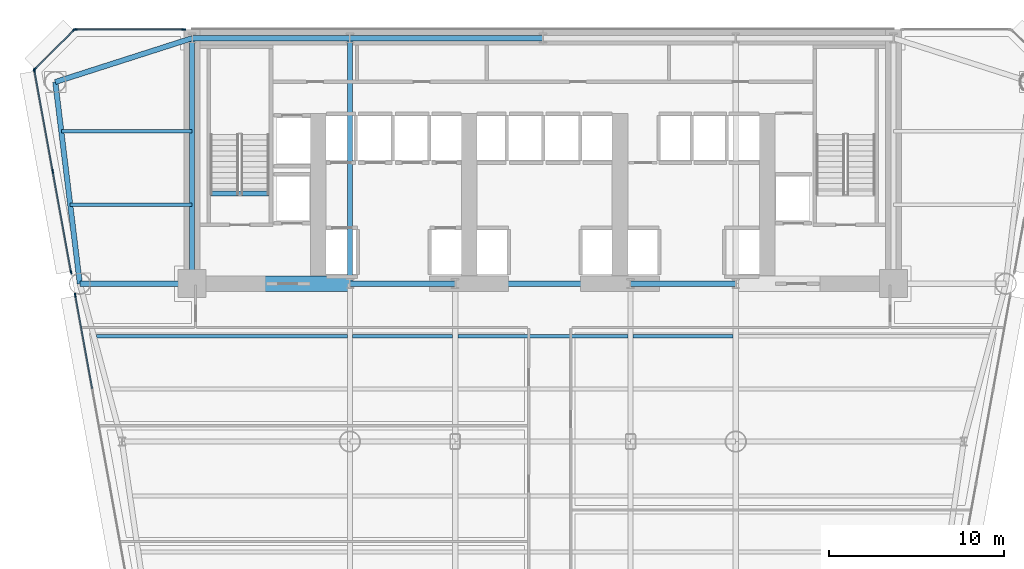
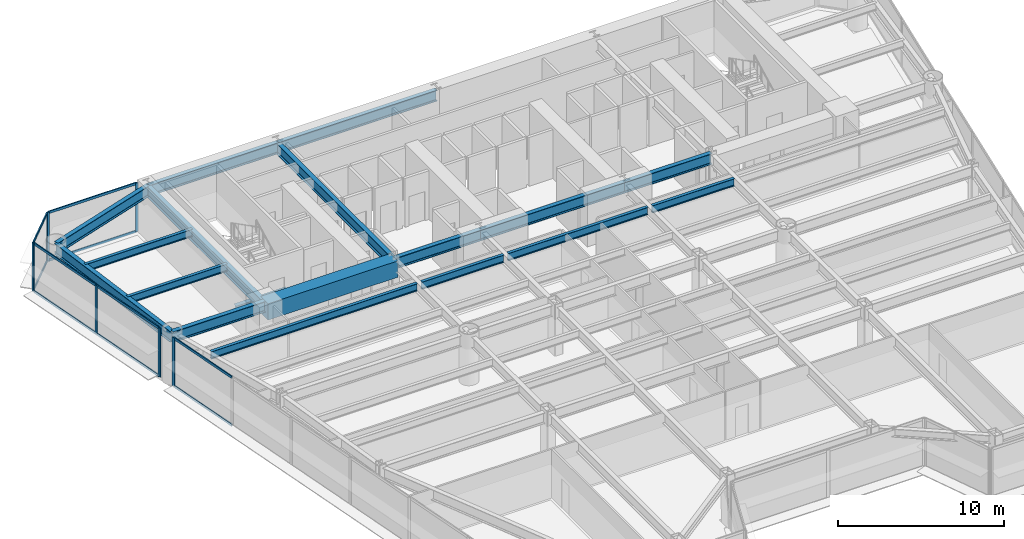
# One storey, part 5 of 14: 18 beams, 18 members, 4 elements without a shape of their own.
"""IFC4 building model written with IfcOpenShell, lengths in metres."""

import ifcopenshell
import ifcopenshell.guid

model = None  # the IFC model being written
_history = None  # IfcOwnerHistory: only IFC2X3 demands one
_inside = {}  # id of a spatial element -> (the spatial element, [elements in it])
_under = {}  # id of a project, library or spatial element -> (it, [spatial elements below it])
_declared = {}  # id of a project -> (the project, [libraries it declares])
_typed = {}  # id of a type object -> (the type object, [elements of that type])
_made_of = {}  # id of a material, layer set ... -> (it, [elements and type objects made of it])


def new_model(schema):
    """Start an empty IFC model of exactly this schema.

    Asked for "IFC4X3", IfcOpenShell would pick the latest addendum, in which some entities
    have other attributes; the version numbers below select the first issue.
    IFC2X3 requires an IfcOwnerHistory on every rooted entity: one is made here for all.
    """
    global model, _history
    if schema == "IFC4X3":
        model = ifcopenshell.file(schema_version=(4, 3, 0, 0))
    else:
        model = ifcopenshell.file(schema=schema)
    _inside.clear()
    _under.clear()
    _declared.clear()
    _typed.clear()
    _made_of.clear()
    _history = None
    if model.schema == "IFC2X3":
        org = make("IfcOrganization", Name="unknown")
        user = make(
            "IfcPersonAndOrganization",
            ThePerson=make("IfcPerson", FamilyName="unknown"),
            TheOrganization=org,
        )
        app = make(
            "IfcApplication",
            ApplicationDeveloper=org,
            Version="unknown",
            ApplicationFullName="unknown",
            ApplicationIdentifier="unknown",
        )
        _history = make(
            "IfcOwnerHistory",
            OwningUser=user,
            OwningApplication=app,
            ChangeAction="ADDED",
            CreationDate=0,
        )
    return model


def make(cls, **values):
    """One entity of the class cls with the attributes given. An attribute that is None is left unset."""
    return model.create_entity(
        cls, **{name: value for name, value in values.items() if value is not None}
    )


def rooted(cls, **values):
    """An entity with a GlobalId (a new one), such as an element, a storey or a relation."""
    return make(cls, GlobalId=ifcopenshell.guid.new(), OwnerHistory=_history, **values)


def si_unit(unit_type, name, prefix=None):
    """IfcSIUnit, for example si_unit("LENGTHUNIT", "METRE", prefix="MILLI")."""
    return make("IfcSIUnit", UnitType=unit_type, Prefix=prefix, Name=name)


def assignment(units):
    """IfcUnitAssignment: the units of a project."""
    return None if units is None else make("IfcUnitAssignment", Units=units)


def point(xyz):
    """IfcCartesianPoint."""
    return None if xyz is None else make("IfcCartesianPoint", Coordinates=xyz)


def direction(xyz):
    """IfcDirection."""
    return None if xyz is None else make("IfcDirection", DirectionRatios=xyz)


def frame(location, z_axis=None, x_axis=None):
    """IfcAxis2Placement3D, a coordinate frame: its origin and axes. An axis left out is left unset."""
    return make(
        "IfcAxis2Placement3D",
        Location=point(location),
        Axis=direction(z_axis),
        RefDirection=direction(x_axis),
    )


def frame_2d(location, x_axis=None):
    """IfcAxis2Placement2D, a coordinate frame in the plane: its origin and x axis."""
    return make(
        "IfcAxis2Placement2D", Location=point(location), RefDirection=direction(x_axis)
    )


def origin():
    """The frame at (0, 0, 0) with its axes left unset."""
    return frame((0.0, 0.0, 0.0))


def origin_2d():
    """The frame at (0, 0) in the plane with its x axis left unset."""
    return frame_2d((0.0, 0.0))


def place(relative_to, where):
    """IfcLocalPlacement: puts the frame where relative to a parent placement (None: the world)."""
    return make(
        "IfcLocalPlacement", PlacementRelTo=relative_to, RelativePlacement=where
    )


def context(
    kind, dimensions, precision=None, world=None, true_north=None, identifier=None
):
    """IfcGeometricRepresentationContext, for example the 3D "Model" context."""
    return make(
        "IfcGeometricRepresentationContext",
        ContextIdentifier=identifier,
        ContextType=kind,
        CoordinateSpaceDimension=dimensions,
        Precision=precision,
        WorldCoordinateSystem=world,
        TrueNorth=true_north,
    )


def subcontext(parent, identifier, kind, view, scale=None):
    """IfcGeometricRepresentationSubContext, for example "Body" below "Model"."""
    return make(
        "IfcGeometricRepresentationSubContext",
        ContextIdentifier=identifier,
        ContextType=kind,
        ParentContext=parent,
        TargetScale=scale,
        TargetView=view,
    )


def project(units=None, contexts=None):
    """IfcProject with its units and contexts."""
    return rooted(
        "IfcProject",
        Name="project",
        RepresentationContexts=contexts,
        UnitsInContext=assignment(units),
    )


def spatial(cls, under=None, at=None, **own):
    """A site, building, storey or space (cls), placed at a placement, below another one or the project."""
    s = rooted(cls, ObjectPlacement=at, **own)
    if under is not None:
        _under.setdefault(under.id(), (under, []))[1].append(s)
    return s


def profile(cls, at=None, kind="AREA", **sizes):
    """A parametric profile (cls). Its sizes go by their IFC names, for example OverallWidth=200.0."""
    return make(cls, ProfileType=kind, Position=at, **sizes)


def rectangle(**sizes):
    """IfcRectangleProfileDef."""
    return profile("IfcRectangleProfileDef", **sizes)


def i_section(**sizes):
    """IfcIShapeProfileDef."""
    return profile("IfcIShapeProfileDef", **sizes)


def extrude(swept, where, along, depth):
    """IfcExtrudedAreaSolid: the profile swept, set in the frame where, extruded along a direction by depth."""
    return make(
        "IfcExtrudedAreaSolid",
        SweptArea=swept,
        Position=where,
        ExtrudedDirection=direction(along),
        Depth=depth,
    )


def shape(context_of_items, identifier, shape_type, items):
    """IfcShapeRepresentation: the items that make up one representation, for example the "Body"."""
    return make(
        "IfcShapeRepresentation",
        ContextOfItems=context_of_items,
        RepresentationIdentifier=identifier,
        RepresentationType=shape_type,
        Items=items,
    )


def source(mapping_origin, context_of_items, identifier, shape_type, items):
    """IfcRepresentationMap: a shape defined once, which mapped items show again and again."""
    return make(
        "IfcRepresentationMap",
        MappingOrigin=mapping_origin,
        MappedRepresentation=shape(context_of_items, identifier, shape_type, items),
    )


def transform(
    local_origin,
    x_axis=None,
    y_axis=None,
    z_axis=None,
    scale=None,
    scale2=None,
    scale3=None,
    uniform=True,
):
    """IfcCartesianTransformationOperator3D, or its non-uniform kind. x_axis, y_axis, z_axis: its Axis1, 2, 3."""
    if uniform:
        return make(
            "IfcCartesianTransformationOperator3D",
            Axis1=direction(x_axis),
            Axis2=direction(y_axis),
            LocalOrigin=point(local_origin),
            Scale=scale,
            Axis3=direction(z_axis),
        )
    return make(
        "IfcCartesianTransformationOperator3DnonUniform",
        Axis1=direction(x_axis),
        Axis2=direction(y_axis),
        LocalOrigin=point(local_origin),
        Scale=scale,
        Axis3=direction(z_axis),
        Scale2=scale2,
        Scale3=scale3,
    )


def mapped(mapping_source, mapping_target):
    """IfcMappedItem: shows the shape of a source again, moved by a transform."""
    return make(
        "IfcMappedItem", MappingSource=mapping_source, MappingTarget=mapping_target
    )


def material(Name=None, Category=None):
    """IfcMaterial."""
    return make("IfcMaterial", Name=Name, Category=Category)


def layer(
    of_material, thickness, ventilated=None, Name=None, Category=None, Priority=None
):
    """IfcMaterialLayer: one layer of a wall or slab, of a material (None: an air gap)."""
    return make(
        "IfcMaterialLayer",
        Material=of_material,
        LayerThickness=thickness,
        IsVentilated=ventilated,
        Name=Name,
        Category=Category,
        Priority=Priority,
    )


def layer_set(layers, Name=None):
    """IfcMaterialLayerSet."""
    return make("IfcMaterialLayerSet", MaterialLayers=layers, LayerSetName=Name)


def material_profile(
    of_material, cross_section, Name=None, Category=None, Priority=None
):
    """IfcMaterialProfile: a cross section and its material."""
    return make(
        "IfcMaterialProfile",
        Name=Name,
        Material=of_material,
        Profile=cross_section,
        Priority=Priority,
        Category=Category,
    )


def profile_set(profiles, Name=None, composite=None):
    """IfcMaterialProfileSet."""
    return make(
        "IfcMaterialProfileSet",
        Name=Name,
        MaterialProfiles=profiles,
        CompositeProfile=composite,
    )


def made_of(thing, what):
    """Note that an element or type object is made of a material, layer set ...; save() writes the relation."""
    if what is not None:
        _made_of.setdefault(what.id(), (what, []))[1].append(thing)
    return thing


def type_object(cls, material=None, **own):
    """A type object (cls), such as IfcWallType, which elements share."""
    return made_of(rooted(cls, **own), material)


def element(
    cls,
    number,
    at=None,
    inside=None,
    cuts=None,
    type_object=None,
    material=None,
    context=None,
    identifier="Body",
    shape_type=None,
    held_by="IfcProductDefinitionShape",
    body=None,
    shapes=None,
    **own,
):
    """One element of the class cls, such as IfcWall. Its Tag is "e" and its number.

    at: its placement. inside: the storey or other place that contains it. cuts: it is an
    opening in that element (IfcRelVoidsElement). A single representation is given by context,
    identifier, shape_type and body (its items); several are given by shapes. held_by: the class
    of the entity that holds the representations. save() writes the other relations.
    """
    e = rooted(cls, Tag="e%d" % number, ObjectPlacement=at, **own)
    if body is not None:
        shapes = [shape(context, identifier, shape_type, body)]
    if shapes is not None:
        e.Representation = make(held_by, Representations=shapes)
    if inside is not None:
        _inside.setdefault(inside.id(), (inside, []))[1].append(e)
    if cuts is not None:
        rooted(
            "IfcRelVoidsElement", RelatingBuildingElement=cuts, RelatedOpeningElement=e
        )
    if type_object is not None:
        _typed.setdefault(type_object.id(), (type_object, []))[1].append(e)
    return made_of(e, material)


def aggregate(whole, parts):
    """IfcRelAggregates: a whole, such as a stair, and the parts it consists of."""
    return rooted("IfcRelAggregates", RelatingObject=whole, RelatedObjects=parts)


def save(model, path):
    """Write the relations noted so far, then the file.

    IfcRelAggregates (storeys below a building ...), IfcRelContainedInSpatialStructure (elements
    in a storey), IfcRelDefinesByType, IfcRelAssociatesMaterial and IfcRelDeclares: one each for
    every whole, place, type object, material and project.
    """
    for whole, parts in _under.values():
        aggregate(whole, parts)
    for where, things in _inside.values():
        rooted(
            "IfcRelContainedInSpatialStructure",
            RelatedElements=things,
            RelatingStructure=where,
        )
    for kind, things in _typed.values():
        rooted("IfcRelDefinesByType", RelatedObjects=things, RelatingType=kind)
    for what, things in _made_of.values():
        rooted("IfcRelAssociatesMaterial", RelatedObjects=things, RelatingMaterial=what)
    for by, libraries in _declared.values():
        rooted("IfcRelDeclares", RelatingContext=by, RelatedDefinitions=libraries)
    model.write(path)


model = new_model("IFC4")

# Units and contexts
model_context = context("Model", 3, precision=1e-05, world=origin(), true_north=direction((0.0, 1.0)))
body_context = subcontext(model_context, "Body", "Model", "MODEL_VIEW")
ifc_project = project(units=[si_unit("LENGTHUNIT", "METRE"), si_unit("AREAUNIT", "SQUARE_METRE"), si_unit("VOLUMEUNIT", "CUBIC_METRE"), si_unit("PLANEANGLEUNIT", "RADIAN"), si_unit("MASSUNIT", "GRAM", prefix="KILO")], contexts=[model_context])

# Site, building, storey
site_placement = place(None, origin())
site = spatial("IfcSite", under=ifc_project, at=site_placement, CompositionType="ELEMENT")
building_placement = place(site_placement, origin())
building = spatial("IfcBuilding", under=site, at=building_placement, Name="Vaeldorn Concourse Tower", CompositionType="ELEMENT")
storey_placement = place(building_placement, frame((0.0, 0.0, 37.800048828125)))
storey = spatial("IfcBuildingStorey", under=building, at=storey_placement, Name="L09", CompositionType="ELEMENT", Elevation=37.800048828125)

# Beams
ifc_material_1 = material(Name="Concrete C60/75", Category="concrete")
ifc_material_profile_1 = material_profile(ifc_material_1, rectangle(XDim=0.89990234375, YDim=1.199951171875, at=origin_2d()), Name="RC 900x1200")
ifc_profile_set_1 = profile_set([ifc_material_profile_1], Name="Concrete C60/75")
beam_type_1 = type_object("IfcBeamType", Name="BM-CB-RC900", PredefinedType="BEAM", material=ifc_profile_set_1)
shared_shape_1 = source(origin(), body_context, "Body", "SweptSolid", [
    extrude(rectangle(XDim=0.89990234375, YDim=1.199951171875, at=origin_2d()), origin(), (0.0, 0.0, 1.0), 9.0),
])
beam_1_placement = place(storey_placement, frame((14.0, 36.5, 2.97998046875), z_axis=(1.0, 0.0, 0.0), x_axis=(0.0, 1.0, 0.0)))
element("IfcBeam", 1, at=beam_1_placement, inside=storey, type_object=beam_type_1, Name="Core Coupling Beam L09-1", PredefinedType="BEAM", context=body_context, shape_type="MappedRepresentation", body=[
    mapped(shared_shape_1, transform((0.0, 0.0, 0.0), scale=1.0)),
])
ifc_material_2 = material(Name="Steel S355", Category="steel")
ifc_material_profile_2 = material_profile(ifc_material_2, i_section(OverallWidth=0.300048828125, OverallDepth=0.340087890625, WebThickness=0.011962890625, FlangeThickness=0.021484375, FilletRadius=0.027099609375, at=origin_2d()), Name="HEB 340")
ifc_profile_set_2 = profile_set([ifc_material_profile_2], Name="Steel S355")
beam_type_2 = type_object("IfcBeamType", Name="BM-ST-TRIM", PredefinedType="BEAM", material=ifc_profile_set_2)
shared_shape_2 = source(origin(), body_context, "Body", "SweptSolid", [
    extrude(i_section(OverallWidth=0.300048828125, OverallDepth=0.340087890625, WebThickness=0.011962890625, FlangeThickness=0.021484375, FilletRadius=0.027099609375, at=origin_2d()), origin(), (0.0, 0.0, 1.0), 3.590087890625),
])
beam_2_placement = place(storey_placement, frame((14.929931640625, 41.639892578125, -0.39013671875), z_axis=(1.0, 0.0, 0.0), x_axis=(0.0, 1.0, 0.0)))
element("IfcBeam", 2, at=beam_2_placement, inside=storey, type_object=beam_type_2, Name="Stair Landing Trimmer Beam ST-1 L09", PredefinedType="BEAM", context=body_context, shape_type="MappedRepresentation", body=[
    mapped(shared_shape_2, transform((0.0, 0.0, 0.0), scale=1.0)),
])
ifc_material_profile_3 = material_profile(ifc_material_2, i_section(OverallWidth=0.300048828125, OverallDepth=0.800048828125, WebThickness=0.017578125, FlangeThickness=0.032958984375, FilletRadius=0.030029296875, at=origin_2d()), Name="HEB 800")
ifc_profile_set_3 = profile_set([ifc_material_profile_3], Name="Steel S355")
beam_type_3 = type_object("IfcBeamType", Name="BM-PG-HEB800", PredefinedType="BEAM", material=ifc_profile_set_3)
shared_shape_3 = source(origin(), body_context, "Body", "SweptSolid", [
    extrude(i_section(OverallWidth=0.300048828125, OverallDepth=0.800048828125, WebThickness=0.017578125, FlangeThickness=0.032958984375, FilletRadius=0.030029296875, at=origin_2d()), origin(), (0.0, 0.0, 1.0), 6.0),
])
for number, where, z_axis, x_axis, name in (
    (3, (23.0, 36.5, 3.179931640625), (1.0, 0.0, 0.0), (0.0, 1.0, 0.0), "Beam BM-L09-C-FC2-C-FC3"),
    (4, (39.0, 36.5, 3.179931640625), (1.0, 0.0, 0.0), (0.0, 1.0, 0.0), "Beam BM-L09-C-FC4-C-FC5"),
):
    element("IfcBeam", number, at=place(storey_placement, frame(where, z_axis=z_axis, x_axis=x_axis)), inside=storey, type_object=beam_type_3, Name=name, PredefinedType="BEAM", context=body_context, shape_type="MappedRepresentation", body=[
        mapped(shared_shape_3, transform((0.0, 0.0, 0.0), scale=1.0)),
    ])
shared_shape_4 = source(origin(), body_context, "Body", "SweptSolid", [
    extrude(i_section(OverallWidth=0.300048828125, OverallDepth=0.800048828125, WebThickness=0.017578125, FlangeThickness=0.032958984375, FilletRadius=0.030029296875, at=origin_2d()), origin(), (0.0, 0.0, 1.0), 10.0),
])
beam_3_placement = place(storey_placement, frame((29.0, 36.5, 3.179931640625), z_axis=(1.0, 0.0, 0.0), x_axis=(0.0, 1.0, 0.0)))
element("IfcBeam", 5, at=beam_3_placement, inside=storey, type_object=beam_type_3, Name="Beam BM-L09-C-FC3-C-FC4", PredefinedType="BEAM", context=body_context, shape_type="MappedRepresentation", body=[
    mapped(shared_shape_4, transform((0.0, 0.0, 0.0), scale=1.0)),
])
shared_shape_5 = source(origin(), body_context, "Body", "SweptSolid", [
    extrude(i_section(OverallWidth=0.300048828125, OverallDepth=0.800048828125, WebThickness=0.017578125, FlangeThickness=0.032958984375, FilletRadius=0.030029296875, at=origin_2d()), origin(), (0.0, 0.0, 1.0), 9.0),
])
beam_4_placement = place(storey_placement, frame((14.0, 50.5, 3.179931640625), z_axis=(1.0, 0.0, 0.0), x_axis=(0.0, 1.0, 0.0)))
element("IfcBeam", 6, at=beam_4_placement, inside=storey, type_object=beam_type_3, Name="Beam BM-L09-C-HC1-C-HC2", PredefinedType="BEAM", context=body_context, shape_type="MappedRepresentation", body=[
    mapped(shared_shape_5, transform((0.0, 0.0, 0.0), scale=1.0)),
])
shared_shape_6 = source(origin(), body_context, "Body", "SweptSolid", [
    extrude(i_section(OverallWidth=0.300048828125, OverallDepth=0.800048828125, WebThickness=0.017578125, FlangeThickness=0.032958984375, FilletRadius=0.030029296875, at=origin_2d()), origin(), (0.0, 0.0, 1.0), 11.0),
])
beam_5_placement = place(storey_placement, frame((23.0, 50.5, 3.179931640625), z_axis=(1.0, 0.0, 0.0), x_axis=(0.0, 1.0, 0.0)))
element("IfcBeam", 7, at=beam_5_placement, inside=storey, type_object=beam_type_3, Name="Beam BM-L09-C-HC2-C-HC3", PredefinedType="BEAM", context=body_context, shape_type="MappedRepresentation", body=[
    mapped(shared_shape_6, transform((0.0, 0.0, 0.0), scale=1.0)),
])
shared_shape_7 = source(origin(), body_context, "Body", "SweptSolid", [
    extrude(i_section(OverallWidth=0.300048828125, OverallDepth=0.800048828125, WebThickness=0.017578125, FlangeThickness=0.032958984375, FilletRadius=0.030029296875, at=origin_2d()), origin(), (0.0, 0.0, 1.0), 14.0),
])
for number, where, z_axis, x_axis, name in (
    (8, (14.0, 36.5, 3.179931640625), (0.0, 1.0, 0.0), (-1.0, 0.0, 0.0), "Beam BM-L09-C-FC1-C-HC1"),
    (9, (23.0, 36.5, 3.179931640625), (0.0, 1.0, 0.0), (-1.0, 0.0, 0.0), "Beam BM-L09-C-FC2-C-HC2"),
):
    element("IfcBeam", number, at=place(storey_placement, frame(where, z_axis=z_axis, x_axis=x_axis)), inside=storey, type_object=beam_type_3, Name=name, PredefinedType="BEAM", context=body_context, shape_type="MappedRepresentation", body=[
        mapped(shared_shape_7, transform((0.0, 0.0, 0.0), scale=1.0)),
    ])
shared_shape_8 = source(origin(), body_context, "Body", "SweptSolid", [
    extrude(i_section(OverallWidth=0.300048828125, OverallDepth=0.800048828125, WebThickness=0.017578125, FlangeThickness=0.032958984375, FilletRadius=0.030029296875, at=origin_2d()), origin(), (0.0, 0.0, 1.0), 8.19091796875),
])
beam_6_placement = place(storey_placement, frame((6.199951171875, 48.0, 3.179931640625), z_axis=(0.952282843383, 0.305216949396, 0.0), x_axis=(-0.305216949396, 0.952282843383, 0.0)))
element("IfcBeam", 10, at=beam_6_placement, inside=storey, type_object=beam_type_3, Name="Beam BM-L09-C-NW1-C-HC1", PredefinedType="BEAM", context=body_context, shape_type="MappedRepresentation", body=[
    mapped(shared_shape_8, transform((0.0, 0.0, 0.0), scale=1.0)),
])
shared_shape_9 = source(origin(), body_context, "Body", "SweptSolid", [
    extrude(i_section(OverallWidth=0.300048828125, OverallDepth=0.800048828125, WebThickness=0.017578125, FlangeThickness=0.032958984375, FilletRadius=0.030029296875, at=origin_2d()), origin(), (0.0, 0.0, 1.0), 11.5849609375),
])
beam_7_placement = place(storey_placement, frame((6.199951171875, 48.0, 3.179931640625), z_axis=(0.120859382899, -0.992669637677, 0.0), x_axis=(0.992669637677, 0.120859382899, 0.0)))
element("IfcBeam", 11, at=beam_7_placement, inside=storey, type_object=beam_type_3, Name="Beam BM-L09-C-NW1-C-NW2", PredefinedType="BEAM", context=body_context, shape_type="MappedRepresentation", body=[
    mapped(shared_shape_9, transform((0.0, 0.0, 0.0), scale=1.0)),
])
shared_shape_10 = source(origin(), body_context, "Body", "SweptSolid", [
    extrude(i_section(OverallWidth=0.300048828125, OverallDepth=0.800048828125, WebThickness=0.017578125, FlangeThickness=0.032958984375, FilletRadius=0.030029296875, at=origin_2d()), origin(), (0.0, 0.0, 1.0), 6.39990234375),
])
beam_8_placement = place(storey_placement, frame((7.60009765625, 36.5, 3.179931640625), z_axis=(1.0, 0.0, 0.0), x_axis=(0.0, 1.0, 0.0)))
element("IfcBeam", 12, at=beam_8_placement, inside=storey, type_object=beam_type_3, Name="Beam BM-L09-C-NW2-C-FC1", PredefinedType="BEAM", context=body_context, shape_type="MappedRepresentation", body=[
    mapped(shared_shape_10, transform((0.0, 0.0, 0.0), scale=1.0)),
])
ifc_material_profile_4 = material_profile(ifc_material_2, i_section(OverallWidth=0.2099609375, OverallDepth=0.550048828125, WebThickness=0.010986328125, FlangeThickness=0.01708984375, FilletRadius=0.02392578125, at=origin_2d()), Name="IPE 550")
ifc_profile_set_4 = profile_set([ifc_material_profile_4], Name="Steel S355")
beam_type_4 = type_object("IfcBeamType", Name="BM-JS-IPE550", PredefinedType="JOIST", material=ifc_profile_set_4)
shared_shape_11 = source(origin(), body_context, "Body", "SweptSolid", [
    extrude(i_section(OverallWidth=0.2099609375, OverallDepth=0.550048828125, WebThickness=0.010986328125, FlangeThickness=0.01708984375, FilletRadius=0.02392578125, at=origin_2d()), origin(), (0.0, 0.0, 1.0), 5.7001953125),
])
for number, where, z_axis, x_axis, name in (
    (13, (23.14990234375, 33.5, 3.304931640625), (1.0, 0.0, 0.0), (0.0, 1.0, 0.0), "Beam JS-L09-W2-335"),
    (14, (39.14990234375, 33.5, 3.304931640625), (1.0, 0.0, 0.0), (0.0, 1.0, 0.0), "Beam JS-L09-E2-335"),
):
    element("IfcBeam", number, at=place(storey_placement, frame(where, z_axis=z_axis, x_axis=x_axis)), inside=storey, type_object=beam_type_4, Name=name, PredefinedType="JOIST", context=body_context, shape_type="MappedRepresentation", body=[
        mapped(shared_shape_11, transform((0.0, 0.0, 0.0), scale=1.0)),
    ])
shared_shape_12 = source(origin(), body_context, "Body", "SweptSolid", [
    extrude(i_section(OverallWidth=0.2099609375, OverallDepth=0.550048828125, WebThickness=0.010986328125, FlangeThickness=0.01708984375, FilletRadius=0.02392578125, at=origin_2d()), origin(), (0.0, 0.0, 1.0), 9.7001953125),
])
beam_9_placement = place(storey_placement, frame((29.14990234375, 33.5, 3.304931640625), z_axis=(1.0, 0.0, 0.0), x_axis=(0.0, 1.0, 0.0)))
element("IfcBeam", 15, at=beam_9_placement, inside=storey, type_object=beam_type_4, Name="Beam JS-L09-C-335", PredefinedType="JOIST", context=body_context, shape_type="MappedRepresentation", body=[
    mapped(shared_shape_12, transform((0.0, 0.0, 0.0), scale=1.0)),
])
shared_shape_13 = source(origin(), body_context, "Body", "SweptSolid", [
    extrude(i_section(OverallWidth=0.2099609375, OverallDepth=0.550048828125, WebThickness=0.010986328125, FlangeThickness=0.01708984375, FilletRadius=0.02392578125, at=origin_2d()), origin(), (0.0, 0.0, 1.0), 14.300048828125),
])
beam_10_placement = place(storey_placement, frame((8.550048828125, 33.5, 3.304931640625), z_axis=(1.0, 0.0, 0.0), x_axis=(0.0, 1.0, 0.0)))
element("IfcBeam", 16, at=beam_10_placement, inside=storey, type_object=beam_type_4, Name="Beam JS-L09-W1-335", PredefinedType="JOIST", context=body_context, shape_type="MappedRepresentation", body=[
    mapped(shared_shape_13, transform((0.0, 0.0, 0.0), scale=1.0)),
])
shared_shape_14 = source(origin(), body_context, "Body", "SweptSolid", [
    extrude(i_section(OverallWidth=0.2099609375, OverallDepth=0.550048828125, WebThickness=0.010986328125, FlangeThickness=0.01708984375, FilletRadius=0.02392578125, at=origin_2d()), origin(), (0.0, 0.0, 1.0), 6.94775390625),
])
beam_11_placement = place(storey_placement, frame((7.05224609375, 41.0, 3.304931640625), z_axis=(1.0, 0.0, 0.0), x_axis=(0.0, 1.0, 0.0)))
element("IfcBeam", 17, at=beam_11_placement, inside=storey, type_object=beam_type_4, Name="Beam JS-L09-NW-410", PredefinedType="JOIST", context=body_context, shape_type="MappedRepresentation", body=[
    mapped(shared_shape_14, transform((0.0, 0.0, 0.0), scale=1.0)),
])
shared_shape_15 = source(origin(), body_context, "Body", "SweptSolid", [
    extrude(i_section(OverallWidth=0.2099609375, OverallDepth=0.550048828125, WebThickness=0.010986328125, FlangeThickness=0.01708984375, FilletRadius=0.02392578125, at=origin_2d()), origin(), (0.0, 0.0, 1.0), 7.458984375),
])
beam_12_placement = place(storey_placement, frame((6.541015625, 45.199951171875, 3.304931640625), z_axis=(1.0, 0.0, 0.0), x_axis=(0.0, 1.0, 0.0)))
element("IfcBeam", 18, at=beam_12_placement, inside=storey, type_object=beam_type_4, Name="Beam JS-L09-NW-452", PredefinedType="JOIST", context=body_context, shape_type="MappedRepresentation", body=[
    mapped(shared_shape_15, transform((0.0, 0.0, 0.0), scale=1.0)),
])

# Curtain wall, members
ifc_material_3 = material(Name="Anodised Bronze Aluminium", Category="aluminium")
ifc_layer = layer(ifc_material_3, 0.219970703125)
ifc_layer_set = layer_set([ifc_layer], Name="Anodised Bronze Aluminium")
curtain_wall_type = type_object("IfcCurtainWallType", Name="CW-SYS-01", PredefinedType="NOTDEFINED", material=ifc_layer_set)
curtain_wall_1_placement = place(storey_placement, origin())
curtain_wall_1 = element("IfcCurtainWall", 19, at=curtain_wall_1_placement, inside=storey, type_object=curtain_wall_type, Name="Unitised Curtain Wall CW-L09-E09-2", PredefinedType="NOTDEFINED")
ifc_material_profile_5 = material_profile(ifc_material_3, rectangle(XDim=0.074951171875, YDim=0.219970703125, at=origin_2d()), Name="CWM 75x220")
ifc_profile_set_5 = profile_set([ifc_material_profile_5], Name="Anodised Bronze Aluminium")
member_type_1 = type_object("IfcMemberType", Name="CWM-BRONZE-220", PredefinedType="MULLION", material=ifc_profile_set_5)
shared_shape_16 = source(origin(), body_context, "Body", "SweptSolid", [
    extrude(rectangle(XDim=0.074951171875, YDim=0.219970703125, at=origin_2d()), origin(), (0.0, 0.0, 1.0), 3.579833984375),
])
member_1_placement = place(storey_placement, frame((13.517578125, 51.0, 0.0), z_axis=(0.0, 0.0, 1.0), x_axis=(0.0, -1.0, 0.0)))
member_1 = element("IfcMember", 20, at=member_1_placement, type_object=member_type_1, Name="CW-01 mullion 1", PredefinedType="MULLION", context=body_context, shape_type="MappedRepresentation", body=[
    mapped(shared_shape_16, transform((0.0, 0.0, 0.0), scale=1.0)),
])
member_2_placement = place(storey_placement, frame((7.33740234375, 51.0, 0.0), z_axis=(0.0, 0.0, 1.0), x_axis=(0.0, -1.0, 0.0)))
member_2 = element("IfcMember", 21, at=member_2_placement, type_object=member_type_1, Name="CW-01 mullion 2", PredefinedType="MULLION", context=body_context, shape_type="MappedRepresentation", body=[
    mapped(shared_shape_16, transform((0.0, 0.0, 0.0), scale=1.0)),
])

curtain_wall_2_placement = place(storey_placement, origin())
curtain_wall_2 = element("IfcCurtainWall", 22, at=curtain_wall_2_placement, inside=storey, type_object=curtain_wall_type, Name="Unitised Curtain Wall CW-L09-E10-1", PredefinedType="NOTDEFINED")
member_3_placement = place(storey_placement, frame((7.2734375, 50.973388671875, 0.0), z_axis=(0.0, 0.0, 1.0), x_axis=(0.707106781187, -0.707106781187, 0.0)))
member_3 = element("IfcMember", 23, at=member_3_placement, type_object=member_type_1, Name="CW-01 mullion 1", PredefinedType="MULLION", context=body_context, shape_type="MappedRepresentation", body=[
    mapped(shared_shape_16, transform((0.0, 0.0, 0.0), scale=1.0)),
])
member_4_placement = place(storey_placement, frame((5.026611328125, 48.7265625, 0.0), z_axis=(0.0, 0.0, 1.0), x_axis=(0.707106781187, -0.707106781187, 0.0)))
member_4 = element("IfcMember", 24, at=member_4_placement, type_object=member_type_1, Name="CW-01 mullion 2", PredefinedType="MULLION", context=body_context, shape_type="MappedRepresentation", body=[
    mapped(shared_shape_16, transform((0.0, 0.0, 0.0), scale=1.0)),
])

curtain_wall_3_placement = place(storey_placement, origin())
curtain_wall_3 = element("IfcCurtainWall", 25, at=curtain_wall_3_placement, inside=storey, type_object=curtain_wall_type, Name="Unitised Curtain Wall CW-L09-E11-1", PredefinedType="NOTDEFINED")
member_5_placement = place(storey_placement, frame((5.006591796875, 48.6630859375, 0.0), z_axis=(0.0, 0.0, 1.0), x_axis=(0.983875075235, 0.178857027626, 0.0)))
member_5 = element("IfcMember", 26, at=member_5_placement, type_object=member_type_1, Name="CW-01 mullion 1", PredefinedType="MULLION", context=body_context, shape_type="MappedRepresentation", body=[
    mapped(shared_shape_16, transform((0.0, 0.0, 0.0), scale=1.0)),
])
member_6_placement = place(storey_placement, frame((6.052490234375, 42.90966796875, 0.0), z_axis=(0.0, 0.0, 1.0), x_axis=(0.983875075235, 0.178857027626, 0.0)))
member_6 = element("IfcMember", 27, at=member_6_placement, type_object=member_type_1, Name="CW-01 mullion 2", PredefinedType="MULLION", context=body_context, shape_type="MappedRepresentation", body=[
    mapped(shared_shape_16, transform((0.0, 0.0, 0.0), scale=1.0)),
])
member_7_placement = place(storey_placement, frame((7.098388671875, 37.156494140625, 0.0), z_axis=(0.0, 0.0, 1.0), x_axis=(0.983875075235, 0.178857027626, 0.0)))
member_7 = element("IfcMember", 28, at=member_7_placement, type_object=member_type_1, Name="CW-01 mullion 3", PredefinedType="MULLION", context=body_context, shape_type="MappedRepresentation", body=[
    mapped(shared_shape_16, transform((0.0, 0.0, 0.0), scale=1.0)),
])

# Curtain wall, member
curtain_wall_4_placement = place(storey_placement, origin())
curtain_wall_4 = element("IfcCurtainWall", 29, at=curtain_wall_4_placement, inside=storey, type_object=curtain_wall_type, Name="Unitised Curtain Wall CW-L09-E11-2", PredefinedType="NOTDEFINED")
member_8_placement = place(storey_placement, frame((7.337158203125, 35.843505859375, 0.0), z_axis=(0.0, 0.0, 1.0), x_axis=(0.98387472201, 0.178858970673, 0.0)))
member_8 = element("IfcMember", 30, at=member_8_placement, type_object=member_type_1, Name="CW-01 mullion 1", PredefinedType="MULLION", context=body_context, shape_type="MappedRepresentation", body=[
    mapped(shared_shape_16, transform((0.0, 0.0, 0.0), scale=1.0)),
])

# Member
ifc_material_profile_6 = material_profile(ifc_material_3, rectangle(XDim=0.074951171875, YDim=0.179931640625, at=origin_2d()), Name="CWT 75x180")
ifc_profile_set_6 = profile_set([ifc_material_profile_6], Name="Anodised Bronze Aluminium")
member_type_2 = type_object("IfcMemberType", Name="CWT-BRONZE-180", PredefinedType="USERDEFINED", material=ifc_profile_set_6)
shared_shape_17 = source(origin(), body_context, "Body", "SweptSolid", [
    extrude(rectangle(XDim=0.074951171875, YDim=0.179931640625, at=origin_2d()), origin(), (0.0, 0.0, 1.0), 3.10302734375),
])
member_9_placement = place(storey_placement, frame((7.2470703125, 50.947021484375, 0.037353515625), z_axis=(-0.707106781187, -0.707106781187, 0.0), x_axis=(0.707106781187, -0.707106781187, 0.0)))
member_9 = element("IfcMember", 31, at=member_9_placement, type_object=member_type_2, Name="CW-01 transom 1.1", ObjectType="TRANSOM", PredefinedType="USERDEFINED", context=body_context, shape_type="MappedRepresentation", body=[
    mapped(shared_shape_17, transform((0.0, 0.0, 0.0), scale=1.0)),
])

member_10_placement = place(storey_placement, frame((7.2470703125, 50.947021484375, 3.54248046875), z_axis=(-0.707106781187, -0.707106781187, 0.0), x_axis=(0.707106781187, -0.707106781187, 0.0)))
member_10 = element("IfcMember", 32, at=member_10_placement, type_object=member_type_2, Name="CW-01 transom 1.2", ObjectType="TRANSOM", PredefinedType="USERDEFINED", context=body_context, shape_type="MappedRepresentation", body=[
    mapped(shared_shape_17, transform((0.0, 0.0, 0.0), scale=1.0)),
])

aggregate(curtain_wall_2, [member_3, member_4, member_9, member_10])

shared_shape_18 = source(origin(), body_context, "Body", "SweptSolid", [
    extrude(rectangle(XDim=0.074951171875, YDim=0.179931640625, at=origin_2d()), origin(), (0.0, 0.0, 1.0), 6.10498046875),
])
member_11_placement = place(storey_placement, frame((13.47998046875, 51.0, 0.037353515625), z_axis=(-1.0, 0.0, 0.0), x_axis=(0.0, -1.0, 0.0)))
member_11 = element("IfcMember", 33, at=member_11_placement, type_object=member_type_2, Name="CW-01 transom 1.1", ObjectType="TRANSOM", PredefinedType="USERDEFINED", context=body_context, shape_type="MappedRepresentation", body=[
    mapped(shared_shape_18, transform((0.0, 0.0, 0.0), scale=1.0)),
])

member_12_placement = place(storey_placement, frame((13.47998046875, 51.0, 3.54248046875), z_axis=(-1.0, 0.0, 0.0), x_axis=(0.0, -1.0, 0.0)))
member_12 = element("IfcMember", 34, at=member_12_placement, type_object=member_type_2, Name="CW-01 transom 1.2", ObjectType="TRANSOM", PredefinedType="USERDEFINED", context=body_context, shape_type="MappedRepresentation", body=[
    mapped(shared_shape_18, transform((0.0, 0.0, 0.0), scale=1.0)),
])

aggregate(curtain_wall_1, [member_1, member_2, member_11, member_12])

shared_shape_19 = source(origin(), body_context, "Body", "SweptSolid", [
    extrude(rectangle(XDim=0.074951171875, YDim=0.179931640625, at=origin_2d()), origin(), (0.0, 0.0, 1.0), 5.7724609375),
])
member_13_placement = place(storey_placement, frame((6.059326171875, 42.872802734375, 0.037353515625), z_axis=(0.178859385316, -0.983874646632, 0.0), x_axis=(0.983874646632, 0.178859385316, 0.0)))
member_13 = element("IfcMember", 35, at=member_13_placement, type_object=member_type_2, Name="CW-01 transom 2.1", ObjectType="TRANSOM", PredefinedType="USERDEFINED", context=body_context, shape_type="MappedRepresentation", body=[
    mapped(shared_shape_19, transform((0.0, 0.0, 0.0), scale=1.0)),
])

member_14_placement = place(storey_placement, frame((6.059326171875, 42.872802734375, 3.54248046875), z_axis=(0.178859385316, -0.983874646632, 0.0), x_axis=(0.983874646632, 0.178859385316, 0.0)))
member_14 = element("IfcMember", 36, at=member_14_placement, type_object=member_type_2, Name="CW-01 transom 2.2", ObjectType="TRANSOM", PredefinedType="USERDEFINED", context=body_context, shape_type="MappedRepresentation", body=[
    mapped(shared_shape_19, transform((0.0, 0.0, 0.0), scale=1.0)),
])

shared_shape_20 = source(origin(), body_context, "Body", "SweptSolid", [
    extrude(rectangle(XDim=0.074951171875, YDim=0.179931640625, at=origin_2d()), origin(), (0.0, 0.0, 1.0), 5.772705078125),
])
member_15_placement = place(storey_placement, frame((5.013427734375, 48.626220703125, 0.037353515625), z_axis=(0.178851943006, -0.983875999546, 0.0), x_axis=(0.983875999546, 0.178851943006, 0.0)))
member_15 = element("IfcMember", 37, at=member_15_placement, type_object=member_type_2, Name="CW-01 transom 1.1", ObjectType="TRANSOM", PredefinedType="USERDEFINED", context=body_context, shape_type="MappedRepresentation", body=[
    mapped(shared_shape_20, transform((0.0, 0.0, 0.0), scale=1.0)),
])

member_16_placement = place(storey_placement, frame((5.013427734375, 48.626220703125, 3.54248046875), z_axis=(0.178851943006, -0.983875999546, 0.0), x_axis=(0.983875999546, 0.178851943006, 0.0)))
member_16 = element("IfcMember", 38, at=member_16_placement, type_object=member_type_2, Name="CW-01 transom 1.2", ObjectType="TRANSOM", PredefinedType="USERDEFINED", context=body_context, shape_type="MappedRepresentation", body=[
    mapped(shared_shape_20, transform((0.0, 0.0, 0.0), scale=1.0)),
])

aggregate(curtain_wall_3, [member_5, member_6, member_7, member_15, member_16, member_13, member_14])

shared_shape_21 = source(origin(), body_context, "Body", "SweptSolid", [
    extrude(rectangle(XDim=0.074951171875, YDim=0.179931640625, at=origin_2d()), origin(), (0.0, 0.0, 1.0), 5.37353515625),
])
member_17_placement = place(storey_placement, frame((7.343994140625, 35.806640625, 0.037353515625), z_axis=(0.178829462835, -0.983880085794, 0.0), x_axis=(0.983880085794, 0.178829462835, 0.0)))
member_17 = element("IfcMember", 39, at=member_17_placement, type_object=member_type_2, Name="CW-01 transom 1.1", ObjectType="TRANSOM", PredefinedType="USERDEFINED", context=body_context, shape_type="MappedRepresentation", body=[
    mapped(shared_shape_21, transform((0.0, 0.0, 0.0), scale=1.0)),
])

member_18_placement = place(storey_placement, frame((7.343994140625, 35.806640625, 3.54248046875), z_axis=(0.178829462835, -0.983880085794, 0.0), x_axis=(0.983880085794, 0.178829462835, 0.0)))
member_18 = element("IfcMember", 40, at=member_18_placement, type_object=member_type_2, Name="CW-01 transom 1.2", ObjectType="TRANSOM", PredefinedType="USERDEFINED", context=body_context, shape_type="MappedRepresentation", body=[
    mapped(shared_shape_21, transform((0.0, 0.0, 0.0), scale=1.0)),
])

aggregate(curtain_wall_4, [member_8, member_17, member_18])

save(model, "model.ifc")
